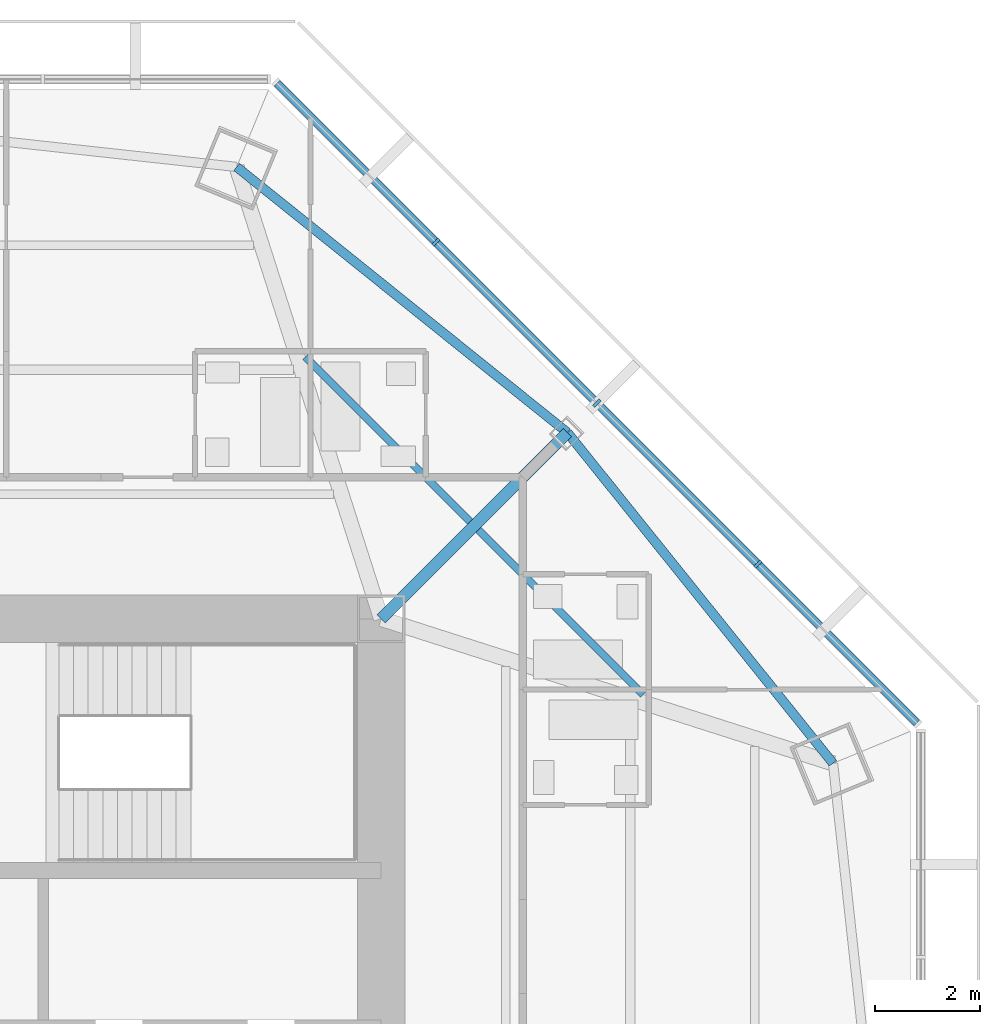
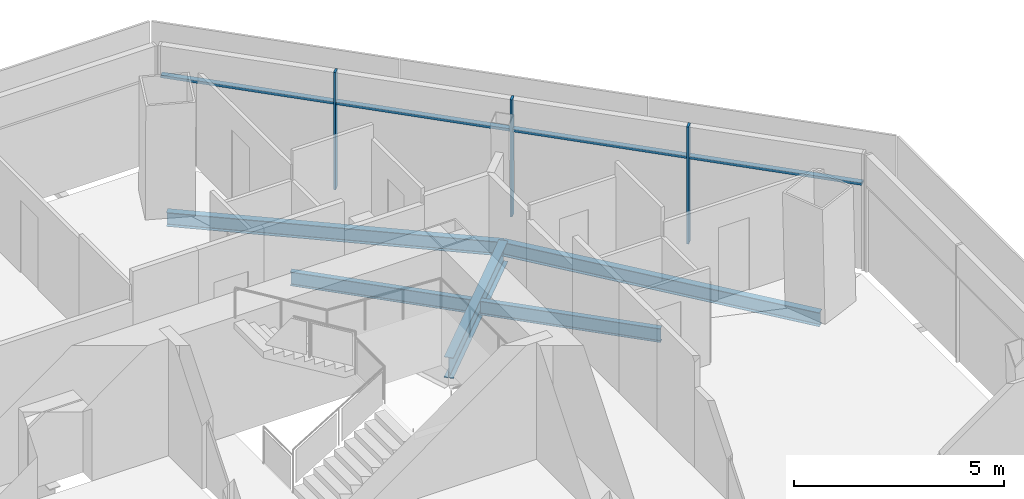
# One storey, part 6 of 14: 7 members, 5 beams, 1 element without a shape of its own.
"""IFC4 building model written with IfcOpenShell, lengths in metres."""

from ifc_helpers import new_model, si_unit, direction, frame, origin, origin_2d, place, context, subcontext, project, spatial, rectangle, i_section, extrude, source, transform, mapped, material, material_profile, profile_set, type_object, type_shapes, element, aggregate, save


model = new_model("IFC4")

# Units and contexts
model_context = context("Model", 3, precision=1e-05, world=origin(), true_north=direction((0.0, 1.0)))
body_context = subcontext(model_context, "Body", "Model", "MODEL_VIEW")
ifc_project = project(units=[si_unit("LENGTHUNIT", "METRE"), si_unit("AREAUNIT", "SQUARE_METRE"), si_unit("VOLUMEUNIT", "CUBIC_METRE"), si_unit("PLANEANGLEUNIT", "RADIAN"), si_unit("MASSUNIT", "GRAM", prefix="KILO")], contexts=[model_context])

# Site, building, storey
site_placement = place(None, origin())
site = spatial("IfcSite", under=ifc_project, at=site_placement, CompositionType="ELEMENT")
building_placement = place(site_placement, origin())
building = spatial("IfcBuilding", under=site, at=building_placement, Name="Mashrafa Tower", CompositionType="ELEMENT")
storey_placement = place(building_placement, frame((0.0, 0.0, 244.800048828125)))
storey = spatial("IfcBuildingStorey", under=building, at=storey_placement, Name="L58", CompositionType="ELEMENT", Elevation=244.800048828125)

# Beams
ifc_material_1 = material(Name="Steel ASTM A992", Category="steel")
ifc_material_profile_1 = material_profile(ifc_material_1, i_section(OverallWidth=0.140380859375, OverallDepth=0.40380859375, WebThickness=0.007080078125, FlangeThickness=0.01123046875, FilletRadius=0.01025390625, at=origin_2d()), Name="W16X31")
ifc_profile_set_1 = profile_set([ifc_material_profile_1], Name="Steel ASTM A992")
beam_type_1 = type_object("IfcBeamType", Name="Beam W16X31", PredefinedType="BEAM", material=ifc_profile_set_1)
for number, where, z_axis, x_axis, name in (
    (1, (9.354736328125, 15.79638671875, -0.402099609375), (0.707079293508, -0.707134267796, 0.0), (0.707134267796, 0.707079293508, 0.0), "Floor beam L58 021"),
    (2, (12.656005859375, 12.494873046875, -0.402099609375), (0.707134267796, -0.707079293508, 0.0), (0.707079293508, 0.707134267796, 0.0), "Floor beam L58 025"),
):
    element("IfcBeam", number, at=place(storey_placement, frame(where, z_axis=z_axis, x_axis=x_axis)), inside=storey, type_object=beam_type_1, Name=name, PredefinedType="BEAM", context=body_context, shape_type="SweptSolid", body=[
        extrude(i_section(OverallWidth=0.140380859375, OverallDepth=0.40380859375, WebThickness=0.007080078125, FlangeThickness=0.01123046875, FilletRadius=0.01025390625, at=origin_2d()), origin(), (0.0, 0.0, 1.0), 4.44091796875),
    ])
ifc_material_2 = material(Name="Steel ASTM A992", Category="steel")
ifc_material_profile_2 = material_profile(ifc_material_2, i_section(OverallWidth=0.177734375, OverallDepth=0.406494140625, WebThickness=0.0078125, FlangeThickness=0.012939453125, FilletRadius=0.01025390625, at=origin_2d()), Name="W16X40")
ifc_profile_set_2 = profile_set([ifc_material_profile_2], Name="Steel ASTM A992")
beam_type_2 = type_object("IfcBeamType", Name="Beam W16X40", PredefinedType="BEAM", material=ifc_profile_set_2)
for number, where, z_axis, x_axis, name in (
    (3, (14.35107421875, 14.35107421875, -0.4033203125), (-0.779707542426, 0.626143871873, 0.0), (-0.626143871873, -0.779707542426, 0.0), "Spandrel beam L58 061"),
    (4, (19.4169921875, 8.042724609375, -0.4033203125), (-0.626143871873, 0.779707542426, 0.0), (-0.779707542426, -0.626143871873, 0.0), "Spandrel beam L58 063"),
):
    element("IfcBeam", number, at=place(storey_placement, frame(where, z_axis=z_axis, x_axis=x_axis)), inside=storey, type_object=beam_type_2, Name=name, PredefinedType="BEAM", context=body_context, shape_type="SweptSolid", body=[
        extrude(i_section(OverallWidth=0.177734375, OverallDepth=0.406494140625, WebThickness=0.0078125, FlangeThickness=0.012939453125, FilletRadius=0.01025390625, at=origin_2d()), origin(), (0.0, 0.0, 1.0), 8.090576171875),
    ])
ifc_material_3 = material(Name="Steel ASTM A992", Category="steel")
ifc_material_profile_3 = material_profile(ifc_material_3, i_section(OverallWidth=0.227783203125, OverallDepth=0.60205078125, WebThickness=0.010498046875, FlangeThickness=0.014892578125, FilletRadius=0.012939453125, at=origin_2d()), Name="W24X68")
ifc_profile_set_3 = profile_set([ifc_material_profile_3], Name="Steel ASTM A992")
beam_type_3 = type_object("IfcBeamType", Name="Beam W24X68", PredefinedType="BEAM", material=ifc_profile_set_3)
beam_placement = place(storey_placement, frame((10.800048828125, 10.800048828125, -0.5009765625), z_axis=(0.707106781187, 0.707106781187, 0.0), x_axis=(-0.707106781187, 0.707106781187, 0.0)))
element("IfcBeam", 5, at=beam_placement, inside=storey, type_object=beam_type_3, Name="Radial girder L58 047", PredefinedType="BEAM", context=body_context, shape_type="SweptSolid", body=[
    extrude(i_section(OverallWidth=0.227783203125, OverallDepth=0.60205078125, WebThickness=0.010498046875, FlangeThickness=0.014892578125, FilletRadius=0.012939453125, at=origin_2d()), origin(), (0.0, 0.0, 1.0), 5.02197265625),
])

# Curtain wall, members
ifc_material_4 = material(Name="Unitised aluminium curtain wall", Category="aluminium")
curtain_wall_type = type_object("IfcCurtainWallType", Name="Apartment curtain wall, zone 3 CW-C 180 deep", PredefinedType="NOTDEFINED", material=ifc_material_4)
curtain_wall_placement = place(storey_placement, origin())
curtain_wall = element("IfcCurtainWall", 6, at=curtain_wall_placement, inside=storey, type_object=curtain_wall_type, Name="Apartment curtain wall, zone 3 L58 north-east", PredefinedType="NOTDEFINED")
ifc_material_5 = material(Name="Extruded aluminium mullion", Category="aluminium")
ifc_material_profile_4 = material_profile(ifc_material_5, rectangle(XDim=0.179931640625, YDim=0.06005859375, at=origin_2d()), Name="Mullion 60x180")
ifc_profile_set_4 = profile_set([ifc_material_profile_4], Name="Extruded aluminium mullion")
member_type_1 = type_object("IfcMemberType", Name="Mullion CW-C 60 x 180", PredefinedType="MULLION", material=ifc_profile_set_4)
shared_shape_1 = source(origin(), body_context, "Body", "SweptSolid", [
    extrude(rectangle(XDim=0.179931640625, YDim=0.06005859375, at=origin_2d()), origin(), (0.0, 0.0, 1.0), 3.39990234375),
])
type_shapes(member_type_1, [shared_shape_1])
member_1_placement = place(storey_placement, frame((17.984375, 11.8408203125, 0.0), z_axis=(0.0, 0.0, 1.0), x_axis=(-0.707106781187, -0.707106781187, 0.0)))
member_1 = element("IfcMember", 7, at=member_1_placement, type_object=member_type_1, Name="CW-C mullion 2", PredefinedType="MULLION", context=body_context, shape_type="MappedRepresentation", body=[
    mapped(shared_shape_1, transform((0.0, 0.0, 0.0))),
])
member_2_placement = place(storey_placement, frame((14.91259765625, 14.91259765625, 0.0), z_axis=(0.0, 0.0, 1.0), x_axis=(-0.707106781187, -0.707106781187, 0.0)))
member_2 = element("IfcMember", 8, at=member_2_placement, type_object=member_type_1, Name="CW-C mullion 3", PredefinedType="MULLION", context=body_context, shape_type="MappedRepresentation", body=[
    mapped(shared_shape_1, transform((0.0, 0.0, 0.0))),
])
member_3_placement = place(storey_placement, frame((11.8408203125, 17.984375, 0.0), z_axis=(0.0, 0.0, 1.0), x_axis=(-0.707106781187, -0.707106781187, 0.0)))
member_3 = element("IfcMember", 9, at=member_3_placement, type_object=member_type_1, Name="CW-C mullion 4", PredefinedType="MULLION", context=body_context, shape_type="MappedRepresentation", body=[
    mapped(shared_shape_1, transform((0.0, 0.0, 0.0))),
])
ifc_material_6 = material(Name="Extruded aluminium transom", Category="aluminium")
ifc_material_profile_5 = material_profile(ifc_material_6, rectangle(XDim=0.14404296875, YDim=0.074951171875, at=origin_2d()), Name="Transom 75x144")
ifc_profile_set_5 = profile_set([ifc_material_profile_5], Name="Extruded aluminium transom")
member_type_2 = type_object("IfcMemberType", Name="Transom CW-C 75 x 144", PredefinedType="MULLION", material=ifc_profile_set_5)
shared_shape_2 = source(origin(), body_context, "Body", "SweptSolid", [
    extrude(rectangle(XDim=0.14404296875, YDim=0.074951171875, at=origin_2d()), origin(), (0.0, 0.0, 1.0), 4.254150390625),
])
member_4_placement = place(storey_placement, frame((21.013916015625, 8.8115234375, 2.5), z_axis=(-0.707135474626, 0.707078086582, 0.0), x_axis=(-0.707078086582, -0.707135474626, 0.0)))
member_4 = element("IfcMember", 10, at=member_4_placement, type_object=member_type_2, Name="CW-C transom 1", PredefinedType="MULLION", context=body_context, shape_type="MappedRepresentation", body=[
    mapped(shared_shape_2, transform((0.0, 0.0, 0.0))),
])
member_5_placement = place(storey_placement, frame((11.819580078125, 18.005615234375, 2.5), z_axis=(-0.707078086582, 0.707135474626, 0.0), x_axis=(-0.707135474626, -0.707078086582, 0.0)))
member_5 = element("IfcMember", 11, at=member_5_placement, type_object=member_type_2, Name="CW-C transom 4", PredefinedType="MULLION", context=body_context, shape_type="MappedRepresentation", body=[
    mapped(shared_shape_2, transform((0.0, 0.0, 0.0))),
])
shared_shape_3 = source(origin(), body_context, "Body", "SweptSolid", [
    extrude(rectangle(XDim=0.14404296875, YDim=0.074951171875, at=origin_2d()), origin(), (0.0, 0.0, 1.0), 4.2841796875),
])
type_shapes(member_type_2, [shared_shape_2, shared_shape_3])
member_6_placement = place(storey_placement, frame((17.963134765625, 11.862060546875, 2.5), z_axis=(-0.707106781187, 0.707106781187, 0.0), x_axis=(-0.707106781187, -0.707106781187, 0.0)))
member_6 = element("IfcMember", 12, at=member_6_placement, type_object=member_type_2, Name="CW-C transom 2", PredefinedType="MULLION", context=body_context, shape_type="MappedRepresentation", body=[
    mapped(shared_shape_3, transform((0.0, 0.0, 0.0))),
])
member_7_placement = place(storey_placement, frame((14.891357421875, 14.933837890625, 2.5), z_axis=(-0.707106781187, 0.707106781187, 0.0), x_axis=(-0.707106781187, -0.707106781187, 0.0)))
member_7 = element("IfcMember", 13, at=member_7_placement, type_object=member_type_2, Name="CW-C transom 3", PredefinedType="MULLION", context=body_context, shape_type="MappedRepresentation", body=[
    mapped(shared_shape_3, transform((0.0, 0.0, 0.0))),
])
aggregate(curtain_wall, [member_1, member_2, member_3, member_4, member_6, member_7, member_5])

save(model, "model.ifc")
